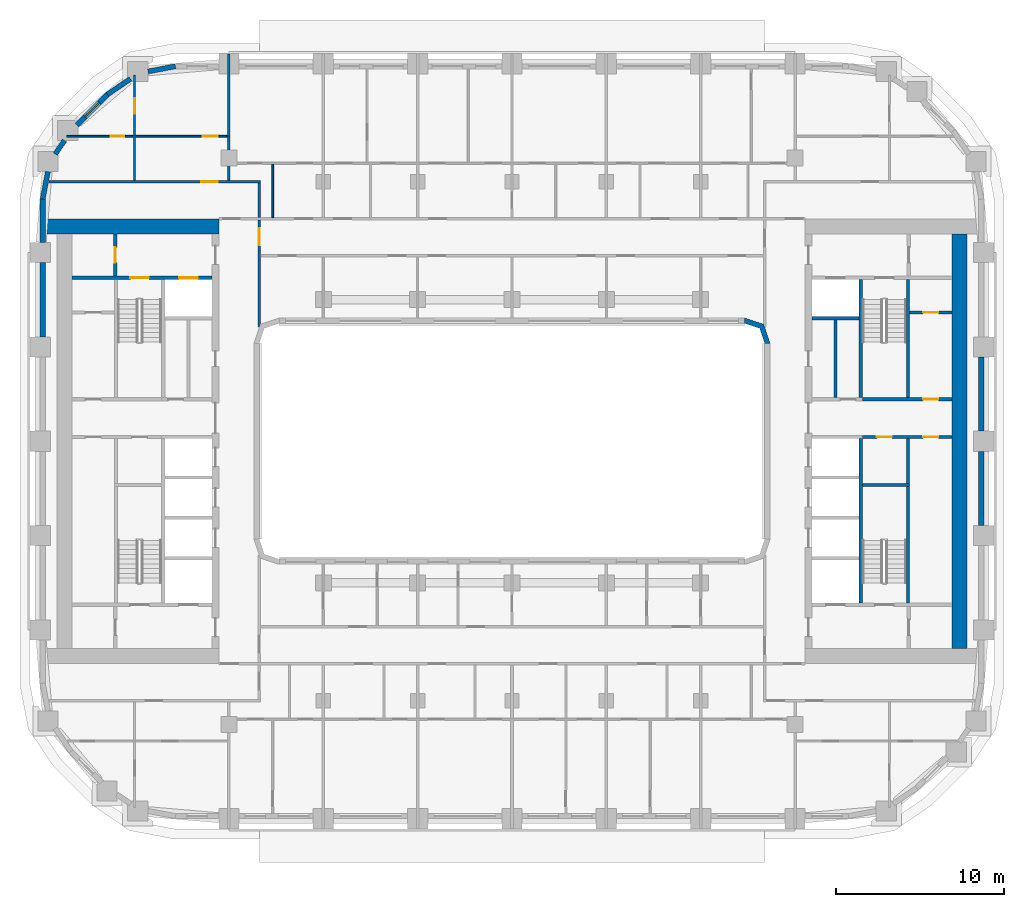
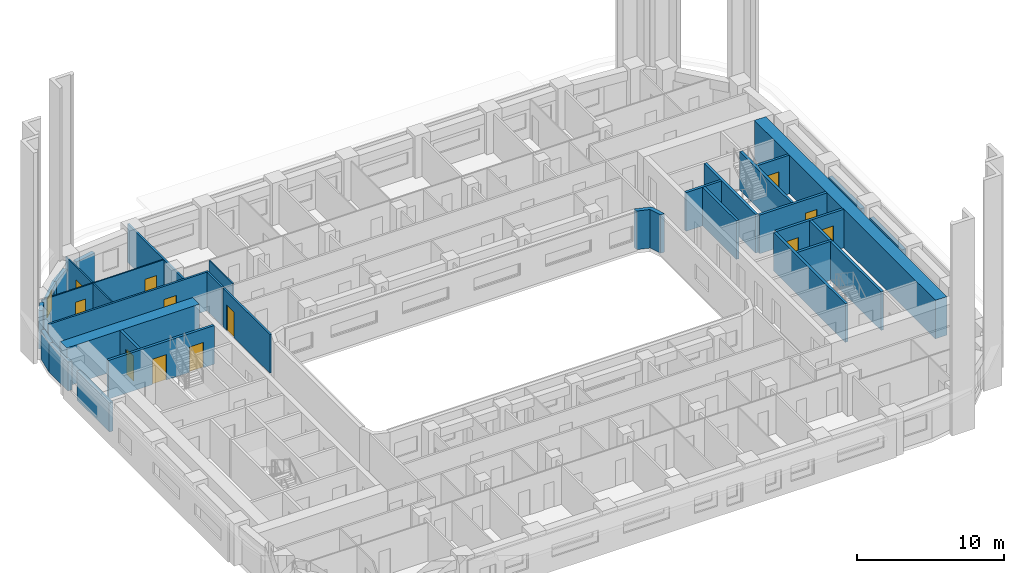
# One storey, part 8 of 23: 33 walls, 12 doors, 1 window, 13 openings.
"""IFC4 building model written with IfcOpenShell, lengths in metres."""

from ifc_helpers import new_model, si_unit, direction, frame, frame_2d, origin, place, context, subcontext, project, spatial, polyline, rectangle, outline, extrude, material, layer, layer_set, type_object, element, fill, save


model = new_model("IFC4")

# Units and contexts
model_context = context("Model", 3, precision=1e-05, world=origin(), true_north=direction((0.0, 1.0)))
body_context = subcontext(model_context, "Body", "Model", "MODEL_VIEW")
ifc_project = project(units=[si_unit("LENGTHUNIT", "METRE"), si_unit("AREAUNIT", "SQUARE_METRE"), si_unit("VOLUMEUNIT", "CUBIC_METRE"), si_unit("PLANEANGLEUNIT", "RADIAN"), si_unit("MASSUNIT", "GRAM", prefix="KILO")], contexts=[model_context])

# Site, building, storey
site_placement = place(None, origin())
site = spatial("IfcSite", under=ifc_project, at=site_placement, CompositionType="ELEMENT")
building_placement = place(site_placement, origin())
building = spatial("IfcBuilding", under=site, at=building_placement, Name="Kiln Ring Residences", CompositionType="ELEMENT")
storey_placement = place(building_placement, frame((0.0, 0.0, 107.800048828125)))
storey = spatial("IfcBuildingStorey", under=building, at=storey_placement, Name="L27", CompositionType="ELEMENT", Elevation=107.800048828125)

# Wall, opening, door
ifc_material_1 = material(Name="Gypsum board on steel studs", Category="steel")
ifc_layer_1 = layer(ifc_material_1, 0.199951171875)
ifc_layer_set_1 = layer_set([ifc_layer_1], Name="CORE-PARTITION-200")
wall_type_1 = type_object("IfcWallType", Name="CORE-PARTITION-200", PredefinedType="PARTITIONING", material=ifc_layer_set_1)
wall_1_placement = place(storey_placement, frame((-23.550048828125, 9.800048828125, 0.0), z_axis=(0.0, 0.0, 1.0), x_axis=(0.0, 1.0, 0.0)))
wall_1 = element("IfcWall", 1, at=wall_1_placement, inside=storey, type_object=wall_type_1, Name="Core partition west L27 4", PredefinedType="PARTITIONING", context=body_context, shape_type="SweptSolid", body=[
    extrude(rectangle(XDim=2.5, YDim=0.199951171875, at=frame_2d((1.25, 0.0))), origin(), (0.0, 0.0, 1.0), 3.199951171875),
])
opening_1_placement = place(wall_1_placement, frame((0.800048828125, 0.0, 0.0)))
opening_1 = element("IfcOpeningElement", 2, at=opening_1_placement, cuts=wall_1, Name="Opening L27-CW10", PredefinedType="OPENING", context=body_context, shape_type="SweptSolid", body=[
    extrude(rectangle(XDim=0.89990234375, YDim=2.10009765625, at=frame_2d((0.449951171875, 1.050048828125))), frame((0.0, 0.10986328125, 0.0), z_axis=(0.0, -1.0, 0.0), x_axis=(1.0, 0.0, 0.0)), (0.0, 0.0, 1.0), 0.219970703125),
])
ifc_material_2 = material(Name="Steel door leaf", Category="steel")
door_type_1 = type_object("IfcDoorType", Name="CORE-DOOR-ROOM", OperationType="SINGLE_SWING_LEFT", PredefinedType="DOOR", material=ifc_material_2)
door_1_placement = place(opening_1_placement, origin())
door_1 = element("IfcDoor", 3, at=door_1_placement, inside=storey, type_object=door_type_1, Name="Fire riser room L27-CW10", OperationType="SINGLE_SWING_RIGHT", OverallHeight=2.10009765625, OverallWidth=0.89990234375, PredefinedType="DOOR", context=body_context, shape_type="SweptSolid", body=[
    extrude(rectangle(XDim=0.89990234375, YDim=2.10009765625, at=frame_2d((0.449951171875, 1.050048828125))), frame((0.0, 0.02490234375, 0.0), z_axis=(0.0, -1.0, 0.0), x_axis=(1.0, 0.0, 0.0)), (0.0, 0.0, 1.0), 0.050048828125),
])
fill(opening_1, door_1)

# Wall
wall_2_placement = place(storey_placement, frame((23.5, -2.5, 0.0), z_axis=(0.0, 0.0, 1.0), x_axis=(0.0, 1.0, 0.0)))
element("IfcWall", 4, at=wall_2_placement, inside=storey, type_object=wall_type_1, Name="Core partition east L27 1", PredefinedType="PARTITIONING", context=body_context, shape_type="SweptSolid", body=[
    extrude(rectangle(XDim=2.64990234375, YDim=0.199951171875, at=frame_2d((1.324951171875, 0.0))), origin(), (0.0, 0.0, 1.0), 3.199951171875),
])

# Wall, openings, doors
wall_3_placement = place(storey_placement, frame((20.800048828125, 0.25, 0.0), z_axis=(0.0, 0.0, 1.0), x_axis=(1.0, 0.0, 0.0)))
wall_3 = element("IfcWall", 5, at=wall_3_placement, inside=storey, type_object=wall_type_1, Name="Core partition east L27 2", PredefinedType="PARTITIONING", context=body_context, shape_type="SweptSolid", body=[
    extrude(rectangle(XDim=5.300048828125, YDim=0.199951171875, at=frame_2d((2.64990234375, 0.0))), origin(), (0.0, 0.0, 1.0), 3.199951171875),
])
opening_2_placement = place(wall_3_placement, frame((0.85009765625, 0.0, 0.0)))
opening_2 = element("IfcOpeningElement", 6, at=opening_2_placement, cuts=wall_3, Name="Opening L27-CE15", PredefinedType="OPENING", context=body_context, shape_type="SweptSolid", body=[
    extrude(rectangle(XDim=0.89990234375, YDim=2.10009765625, at=frame_2d((0.449951171875, 1.050048828125))), frame((0.0, 0.10986328125, 0.0), z_axis=(0.0, -1.0, 0.0), x_axis=(1.0, 0.0, 0.0)), (0.0, 0.0, 1.0), 0.219970703125),
])
opening_3_placement = place(wall_3_placement, frame((3.60009765625, 0.0, 0.0)))
opening_3 = element("IfcOpeningElement", 7, at=opening_3_placement, cuts=wall_3, Name="Opening L27-CE16", PredefinedType="OPENING", context=body_context, shape_type="SweptSolid", body=[
    extrude(rectangle(XDim=0.89990234375, YDim=2.10009765625, at=frame_2d((0.449951171875, 1.050048828125))), frame((0.0, 0.10986328125, 0.0), z_axis=(0.0, -1.0, 0.0), x_axis=(1.0, 0.0, 0.0)), (0.0, 0.0, 1.0), 0.219970703125),
])
door_2_placement = place(opening_2_placement, origin())
door_2 = element("IfcDoor", 8, at=door_2_placement, inside=storey, type_object=door_type_1, Name="Refuse and recycling room L27-CE15", OperationType="SINGLE_SWING_RIGHT", OverallHeight=2.10009765625, OverallWidth=0.89990234375, PredefinedType="DOOR", context=body_context, shape_type="SweptSolid", body=[
    extrude(rectangle(XDim=0.89990234375, YDim=2.10009765625, at=frame_2d((0.449951171875, 1.050048828125))), frame((0.0, 0.02490234375, 0.0), z_axis=(0.0, -1.0, 0.0), x_axis=(1.0, 0.0, 0.0)), (0.0, 0.0, 1.0), 0.050048828125),
])
fill(opening_2, door_2)
door_3_placement = place(opening_3_placement, origin())
door_3 = element("IfcDoor", 9, at=door_3_placement, inside=storey, type_object=door_type_1, Name="Water tank room L27-CE16", OperationType="SINGLE_SWING_LEFT", OverallHeight=2.10009765625, OverallWidth=0.89990234375, PredefinedType="DOOR", context=body_context, shape_type="SweptSolid", body=[
    extrude(rectangle(XDim=0.89990234375, YDim=2.10009765625, at=frame_2d((0.449951171875, 1.050048828125))), frame((0.0, 0.02490234375, 0.0), z_axis=(0.0, -1.0, 0.0), x_axis=(1.0, 0.0, 0.0)), (0.0, 0.0, 1.0), 0.050048828125),
])
fill(opening_3, door_3)

# Wall
wall_4_placement = place(storey_placement, frame((19.199951171875, 2.60009765625, 0.0), z_axis=(0.0, 0.0, 1.0), x_axis=(0.0, 1.0, 0.0)))
element("IfcWall", 10, at=wall_4_placement, inside=storey, type_object=wall_type_1, Name="Core partition east L27 3", PredefinedType="PARTITIONING", context=body_context, shape_type="SweptSolid", body=[
    extrude(rectangle(XDim=4.599853515625, YDim=0.199951171875, at=frame_2d((2.2998046875, 0.0))), origin(), (0.0, 0.0, 1.0), 3.199951171875),
])

# Wall, opening, door
wall_5_placement = place(storey_placement, frame((23.60009765625, 7.639892578125, 0.0), z_axis=(0.0, 0.0, 1.0), x_axis=(1.0, 0.0, 0.0)))
wall_5 = element("IfcWall", 11, at=wall_5_placement, inside=storey, type_object=wall_type_1, Name="Core partition east L27 6", PredefinedType="PARTITIONING", context=body_context, shape_type="SweptSolid", body=[
    extrude(rectangle(XDim=2.5, YDim=0.199951171875, at=frame_2d((1.25, 0.0))), origin(), (0.0, 0.0, 1.0), 3.199951171875),
])
opening_4_placement = place(wall_5_placement, frame((0.800048828125, 0.0, 0.0)))
opening_4 = element("IfcOpeningElement", 12, at=opening_4_placement, cuts=wall_5, Name="Opening L27-CE17", PredefinedType="OPENING", context=body_context, shape_type="SweptSolid", body=[
    extrude(rectangle(XDim=0.89990234375, YDim=2.10009765625, at=frame_2d((0.449951171875, 1.050048828125))), frame((0.0, 0.10986328125, 0.0), z_axis=(0.0, -1.0, 0.0), x_axis=(1.0, 0.0, 0.0)), (0.0, 0.0, 1.0), 0.219970703125),
])
door_4_placement = place(opening_4_placement, origin())
door_4 = element("IfcDoor", 13, at=door_4_placement, inside=storey, type_object=door_type_1, Name="UPS room L27-CE17", OperationType="SINGLE_SWING_LEFT", OverallHeight=2.10009765625, OverallWidth=0.89990234375, PredefinedType="DOOR", context=body_context, shape_type="SweptSolid", body=[
    extrude(rectangle(XDim=0.89990234375, YDim=2.10009765625, at=frame_2d((0.449951171875, 1.050048828125))), frame((0.0, 0.02490234375, 0.0), z_axis=(0.0, -1.0, 0.0), x_axis=(1.0, 0.0, 0.0)), (0.0, 0.0, 1.0), 0.050048828125),
])
fill(opening_4, door_4)

# Wall
ifc_material_3 = material(Name="Gypsum shaft wall system")
ifc_layer_2 = layer(ifc_material_3, 0.199951171875)
ifc_layer_set_2 = layer_set([ifc_layer_2], Name="CORE-SHAFT-WALL-200")
wall_type_2 = type_object("IfcWallType", Name="CORE-SHAFT-WALL-200", PredefinedType="PARTITIONING", material=ifc_layer_set_2)
wall_6_placement = place(storey_placement, frame((17.800048828125, 7.300048828125, 0.0), z_axis=(0.0, 0.0, 1.0), x_axis=(1.0, 0.0, 0.0)))
element("IfcWall", 14, at=wall_6_placement, inside=storey, type_object=wall_type_2, Name="Core partition east L27 12", PredefinedType="PARTITIONING", context=body_context, shape_type="SweptSolid", body=[
    extrude(rectangle(XDim=2.800048828125, YDim=0.199951171875, at=frame_2d((1.39990234375, 0.0))), origin(), (0.0, 0.0, 1.0), 3.199951171875),
])

# Wall, openings, doors
ifc_material_4 = material(Name="Concrete C40/50", Category="concrete")
ifc_layer_3 = layer(ifc_material_4, 0.199951171875)
ifc_layer_set_3 = layer_set([ifc_layer_3], Name="CORE-WALL-RC200")
wall_type_3 = type_object("IfcWallType", Name="CORE-WALL-RC200", PredefinedType="SHEAR", material=ifc_layer_set_3)
wall_7_placement = place(storey_placement, frame((-17.800048828125, 9.699951171875, 0.0), z_axis=(0.0, 0.0, 1.0), x_axis=(-1.0, 0.0, 0.0)))
wall_7 = element("IfcWall", 15, at=wall_7_placement, inside=storey, type_object=wall_type_3, Name="Core wall west L27 9", PredefinedType="SHEAR", context=body_context, shape_type="SweptSolid", body=[
    extrude(rectangle(XDim=8.300048828125, YDim=0.199951171875, at=frame_2d((4.14990234375, 0.0))), origin(), (0.0, 0.0, 1.0), 3.199951171875),
])
opening_5_placement = place(wall_7_placement, frame((0.85009765625, 0.0, 0.0)))
opening_5 = element("IfcOpeningElement", 16, at=opening_5_placement, cuts=wall_7, Name="Opening L27-CW07", PredefinedType="OPENING", context=body_context, shape_type="SweptSolid", body=[
    extrude(rectangle(XDim=1.10009765625, YDim=2.10009765625, at=frame_2d((0.550048828125, 1.050048828125))), frame((0.0, 0.10986328125, 0.0), z_axis=(0.0, -1.0, 0.0), x_axis=(1.0, 0.0, 0.0)), (0.0, 0.0, 1.0), 0.219970703125),
])
opening_6_placement = place(wall_7_placement, frame((3.75, 0.0, 0.0)))
opening_6 = element("IfcOpeningElement", 17, at=opening_6_placement, cuts=wall_7, Name="Opening L27-CW12", PredefinedType="OPENING", context=body_context, shape_type="SweptSolid", body=[
    extrude(rectangle(XDim=1.10009765625, YDim=2.10009765625, at=frame_2d((0.550048828125, 1.050048828125))), frame((0.0, 0.10986328125, 0.0), z_axis=(0.0, -1.0, 0.0), x_axis=(1.0, 0.0, 0.0)), (0.0, 0.0, 1.0), 0.219970703125),
])
ifc_material_5 = material(Name="Steel door leaf", Category="steel")
door_type_2 = type_object("IfcDoorType", Name="CORE-DOOR-LD", OperationType="DOUBLE_DOOR_SLIDING", PredefinedType="DOOR", material=ifc_material_5)
door_5_placement = place(opening_5_placement, origin())
door_5 = element("IfcDoor", 18, at=door_5_placement, inside=storey, type_object=door_type_2, Name="LD W-FF L27-CW07", OperationType="DOUBLE_DOOR_SLIDING", OverallHeight=2.10009765625, OverallWidth=1.10009765625, PredefinedType="DOOR", context=body_context, shape_type="SweptSolid", body=[
    extrude(rectangle(XDim=1.10009765625, YDim=2.10009765625, at=frame_2d((0.550048828125, 1.050048828125))), frame((0.0, 0.02490234375, 0.0), z_axis=(0.0, -1.0, 0.0), x_axis=(1.0, 0.0, 0.0)), (0.0, 0.0, 1.0), 0.050048828125),
])
fill(opening_5, door_5)
ifc_material_6 = material(Name="Steel door leaf", Category="steel")
door_type_3 = type_object("IfcDoorType", Name="CORE-DOOR-STAIR", OperationType="SINGLE_SWING_LEFT", PredefinedType="DOOR", material=ifc_material_6)
door_6_placement = place(opening_6_placement, origin())
door_6 = element("IfcDoor", 19, at=door_6_placement, inside=storey, type_object=door_type_3, Name="Stair W-STN L27-CW12", OperationType="SINGLE_SWING_RIGHT", OverallHeight=2.10009765625, OverallWidth=1.10009765625, PredefinedType="DOOR", context=body_context, shape_type="SweptSolid", body=[
    extrude(rectangle(XDim=1.10009765625, YDim=2.10009765625, at=frame_2d((0.550048828125, 1.050048828125))), frame((0.0, 0.02490234375, 0.0), z_axis=(0.0, -1.0, 0.0), x_axis=(1.0, 0.0, 0.0)), (0.0, 0.0, 1.0), 0.050048828125),
])
fill(opening_6, door_6)

# Walls
wall_8_placement = place(storey_placement, frame((20.699951171875, 2.60009765625, 0.0), z_axis=(0.0, 0.0, 1.0), x_axis=(0.0, 1.0, 0.0)))
element("IfcWall", 20, at=wall_8_placement, inside=storey, type_object=wall_type_3, Name="Core wall east L27 1", PredefinedType="SHEAR", context=body_context, shape_type="SweptSolid", body=[
    extrude(rectangle(XDim=7.0, YDim=0.199951171875, at=frame_2d((3.5, 0.0))), origin(), (0.0, 0.0, 1.0), 3.199951171875),
])
wall_9_placement = place(storey_placement, frame((20.699951171875, -9.60009765625, 0.0), z_axis=(0.0, 0.0, 1.0), x_axis=(0.0, 1.0, 0.0)))
element("IfcWall", 21, at=wall_9_placement, inside=storey, type_object=wall_type_3, Name="Core wall east L27 2", PredefinedType="SHEAR", context=body_context, shape_type="SweptSolid", body=[
    extrude(rectangle(XDim=9.75, YDim=0.199951171875, at=frame_2d((4.875, 0.0))), origin(), (0.0, 0.0, 1.0), 3.199951171875),
])

# Wall, opening, door
wall_10_placement = place(storey_placement, frame((20.800048828125, 2.5, 0.0), z_axis=(0.0, 0.0, 1.0), x_axis=(1.0, 0.0, 0.0)))
wall_10 = element("IfcWall", 22, at=wall_10_placement, inside=storey, type_object=wall_type_3, Name="Core wall east L27 3", PredefinedType="SHEAR", context=body_context, shape_type="SweptSolid", body=[
    extrude(rectangle(XDim=5.300048828125, YDim=0.199951171875, at=frame_2d((2.64990234375, 0.0))), origin(), (0.0, 0.0, 1.0), 3.199951171875),
])
opening_7_placement = place(wall_10_placement, frame((3.60009765625, 0.0, 0.0)))
opening_7 = element("IfcOpeningElement", 23, at=opening_7_placement, cuts=wall_10, Name="Opening L27-CE18", PredefinedType="OPENING", context=body_context, shape_type="SweptSolid", body=[
    extrude(rectangle(XDim=0.89990234375, YDim=2.10009765625, at=frame_2d((0.449951171875, 1.050048828125))), frame((0.0, 0.10986328125, 0.0), z_axis=(0.0, -1.0, 0.0), x_axis=(1.0, 0.0, 0.0)), (0.0, 0.0, 1.0), 0.219970703125),
])
door_7_placement = place(opening_7_placement, origin())
door_7 = element("IfcDoor", 24, at=door_7_placement, inside=storey, type_object=door_type_1, Name="Electrical plant room L27-CE18", OperationType="SINGLE_SWING_RIGHT", OverallHeight=2.10009765625, OverallWidth=0.89990234375, PredefinedType="DOOR", context=body_context, shape_type="SweptSolid", body=[
    extrude(rectangle(XDim=0.89990234375, YDim=2.10009765625, at=frame_2d((0.449951171875, 1.050048828125))), frame((0.0, 0.02490234375, 0.0), z_axis=(0.0, -1.0, 0.0), x_axis=(1.0, 0.0, 0.0)), (0.0, 0.0, 1.0), 0.050048828125),
])
fill(opening_7, door_7)

# Walls
wall_11_placement = place(storey_placement, frame((23.5, 2.60009765625, 0.0), z_axis=(0.0, 0.0, 1.0), x_axis=(0.0, 1.0, 0.0)))
element("IfcWall", 25, at=wall_11_placement, inside=storey, type_object=wall_type_3, Name="Core wall east L27 10", PredefinedType="SHEAR", context=body_context, shape_type="SweptSolid", body=[
    extrude(rectangle(XDim=7.0, YDim=0.199951171875, at=frame_2d((3.5, 0.0))), origin(), (0.0, 0.0, 1.0), 3.199951171875),
])
wall_12_placement = place(storey_placement, frame((23.5, -9.60009765625, 0.0), z_axis=(0.0, 0.0, 1.0), x_axis=(0.0, 1.0, 0.0)))
element("IfcWall", 26, at=wall_12_placement, inside=storey, type_object=wall_type_3, Name="Core wall east L27 11", PredefinedType="SHEAR", context=body_context, shape_type="SweptSolid", body=[
    extrude(rectangle(XDim=6.900146484375, YDim=0.199951171875, at=frame_2d((3.4501953125, 0.0))), origin(), (0.0, 0.0, 1.0), 3.199951171875),
])
wall_13_placement = place(storey_placement, frame((20.800048828125, -2.60009765625, 0.0), z_axis=(0.0, 0.0, 1.0), x_axis=(1.0, 0.0, 0.0)))
element("IfcWall", 27, at=wall_13_placement, inside=storey, type_object=wall_type_3, Name="Core wall east L27 12", PredefinedType="SHEAR", context=body_context, shape_type="SweptSolid", body=[
    extrude(rectangle(XDim=2.800048828125, YDim=0.199951171875, at=frame_2d((1.39990234375, 0.0))), origin(), (0.0, 0.0, 1.0), 3.199951171875),
])
ifc_material_7 = material(Name="Concrete C60/75", Category="concrete")
ifc_layer_4 = layer(ifc_material_7, 0.89990234375)
ifc_layer_set_4 = layer_set([ifc_layer_4], Name="CORE-WALL-RC900")
wall_type_4 = type_object("IfcWallType", Name="CORE-WALL-RC900", PredefinedType="SHEAR", material=ifc_layer_set_4)
wall_14_placement = place(storey_placement, frame((-17.39990234375, 12.75, 0.0), z_axis=(0.0, 0.0, 1.0), x_axis=(-1.0, 0.0, 0.0)))
element("IfcWall", 28, at=wall_14_placement, inside=storey, type_object=wall_type_4, Name="Core wall west L27 4", PredefinedType="SHEAR", context=body_context, shape_type="SweptSolid", body=[
    extrude(rectangle(XDim=10.400146484375, YDim=0.89990234375, at=frame_2d((5.2001953125, 0.0))), origin(), (0.0, 0.0, 1.0), 3.199951171875),
])
wall_15_placement = place(storey_placement, frame((26.550048828125, -12.300048828125, 0.0), z_axis=(0.0, 0.0, 1.0), x_axis=(0.0, 1.0, 0.0)))
element("IfcWall", 29, at=wall_15_placement, inside=storey, type_object=wall_type_4, Name="Core wall east L27 7", PredefinedType="SHEAR", context=body_context, shape_type="SweptSolid", body=[
    extrude(rectangle(XDim=24.60009765625, YDim=0.89990234375, at=frame_2d((12.300048828125, 0.0))), origin(), (0.0, 0.0, 1.0), 3.199951171875),
])
ifc_material_8 = material(Name="Brick masonry, dark clay brick", Category="masonry")
ifc_layer_5 = layer(ifc_material_8, 0.300048828125)
ifc_layer_set_5 = layer_set([ifc_layer_5], Name="EW-300 BRICK WALL")
wall_type_5 = type_object("IfcWallType", Name="EW-300 BRICK WALL", PredefinedType="SOLIDWALL", material=ifc_layer_set_5)
for number, where, z_axis, x_axis, name in (
    (30, (27.85009765625, -5.0, 0.0), (0.0, 0.0, 1.0), (0.0, 1.0, 0.0), "Facade wall L27 19"),
    (31, (27.85009765625, 0.60009765625, 0.0), (0.0, 0.0, 1.0), (0.0, 1.0, 0.0), "Facade wall L27 20"),
):
    element("IfcWall", number, at=place(storey_placement, frame(where, z_axis=z_axis, x_axis=x_axis)), inside=storey, type_object=wall_type_5, Name=name, PredefinedType="SOLIDWALL", context=body_context, shape_type="SweptSolid", body=[
        extrude(rectangle(XDim=4.39990234375, YDim=0.300048828125, at=frame_2d((2.199951171875, 0.0))), origin(), (0.0, 0.0, 1.0), 2.39990234375),
    ])
for number, where, z_axis, x_axis, name in (
    (32, (-19.971923828125, 22.252685546875, 0.0), (0.0, 0.0, 1.0), (-0.98228820662, -0.187376303559, 0.0), "Facade wall L27 36"),
    (33, (-22.64306640625, 21.509765625, 0.0), (0.0, 0.0, 1.0), (-0.827049873329, -0.562128550268, 0.0), "Facade wall L27 37"),
):
    element("IfcWall", number, at=place(storey_placement, frame(where, z_axis=z_axis, x_axis=x_axis)), inside=storey, type_object=wall_type_5, Name=name, PredefinedType="SOLIDWALL", context=body_context, shape_type="SweptSolid", body=[
        extrude(rectangle(XDim=1.656005859375, YDim=0.300048828125, at=frame_2d((0.828125, 0.0))), origin(), (0.0, 0.0, 1.0), 2.39990234375),
    ])

# Wall, opening, window
wall_16_placement = place(storey_placement, frame((-23.990966796875, 20.596923828125, 0.0), z_axis=(0.0, 0.0, 1.0), x_axis=(-0.707106781187, -0.707106781187, 0.0)))
wall_16 = element("IfcWall", 34, at=wall_16_placement, inside=storey, type_object=wall_type_5, Name="Facade wall L27 38", PredefinedType="SOLIDWALL", context=body_context, shape_type="SweptSolid", body=[
    extrude(rectangle(XDim=2.60009765625, YDim=0.300048828125, at=frame_2d((1.300048828125, 0.0))), origin(), (0.0, 0.0, 1.0), 2.39990234375),
])
opening_8_placement = place(wall_16_placement, frame((0.699951171875, 0.0, 0.60009765625)))
opening_8 = element("IfcOpeningElement", 35, at=opening_8_placement, cuts=wall_16, Name="Opening W1", PredefinedType="OPENING", context=body_context, shape_type="SweptSolid", body=[
    extrude(rectangle(XDim=1.199951171875, YDim=1.550048828125, at=frame_2d((0.60009765625, 0.77490234375))), frame((0.0, 0.159912109375, 0.0), z_axis=(0.0, -1.0, 0.0), x_axis=(1.0, 0.0, 0.0)), (0.0, 0.0, 1.0), 0.320068359375),
])
ifc_material_9 = material(Name="Aluminium frame with double glazing", Category="aluminium")
window_type = type_object("IfcWindowType", Name="WINDOW 1200 x 1550", PartitioningType="SINGLE_PANEL", PredefinedType="WINDOW", material=ifc_material_9)
window_placement = place(opening_8_placement, origin())
window = element("IfcWindow", 36, at=window_placement, inside=storey, type_object=window_type, Name="Window L27 26", OverallHeight=1.550048828125, OverallWidth=1.199951171875, PartitioningType="SINGLE_PANEL", PredefinedType="WINDOW", context=body_context, shape_type="SweptSolid", body=[
    extrude(rectangle(XDim=1.199951171875, YDim=1.550048828125, at=frame_2d((0.60009765625, 0.77490234375))), frame((0.0, 0.030029296875, 0.0), z_axis=(0.0, -1.0, 0.0), x_axis=(1.0, 0.0, 0.0)), (0.0, 0.0, 1.0), 0.06005859375),
])
fill(opening_8, window)

# Walls
wall_17_placement = place(storey_placement, frame((-26.560546875, 17.85107421875, 0.0), z_axis=(0.0, 0.0, 1.0), x_axis=(-0.562173331661, -0.827019434577, 0.0)))
element("IfcWall", 37, at=wall_17_placement, inside=storey, type_object=wall_type_5, Name="Facade wall L27 39", PredefinedType="SOLIDWALL", context=body_context, shape_type="SweptSolid", body=[
    extrude(rectangle(XDim=0.97705078125, YDim=0.300048828125, at=frame_2d((0.488525390625, 0.0))), origin(), (0.0, 0.0, 1.0), 3.199951171875),
])
wall_18_placement = place(storey_placement, frame((-27.542236328125, 15.998779296875, 0.0), z_axis=(0.0, 0.0, 1.0), x_axis=(-0.187349172861, -0.982293381546, 0.0)))
element("IfcWall", 38, at=wall_18_placement, inside=storey, type_object=wall_type_5, Name="Facade wall L27 40", PredefinedType="SOLIDWALL", context=body_context, shape_type="SweptSolid", body=[
    extrude(rectangle(XDim=1.65625, YDim=0.300048828125, at=frame_2d((0.828125, 0.0))), origin(), (0.0, 0.0, 1.0), 2.39990234375),
])
wall_19_placement = place(storey_placement, frame((-27.85009765625, 14.39990234375, 0.0), z_axis=(0.0, 0.0, 1.0), x_axis=(0.0, -1.0, 0.0)))
element("IfcWall", 39, at=wall_19_placement, inside=storey, type_object=wall_type_5, Name="Facade wall L27 41", PredefinedType="SOLIDWALL", context=body_context, shape_type="SweptSolid", body=[
    extrude(rectangle(XDim=2.599853515625, YDim=0.300048828125, at=frame_2d((1.2998046875, 0.0))), origin(), (0.0, 0.0, 1.0), 2.39990234375),
])
wall_20_placement = place(storey_placement, frame((-27.85009765625, 10.60009765625, 0.0), z_axis=(0.0, 0.0, 1.0), x_axis=(0.0, -1.0, 0.0)))
element("IfcWall", 40, at=wall_20_placement, inside=storey, type_object=wall_type_5, Name="Facade wall L27 42", PredefinedType="SOLIDWALL", context=body_context, shape_type="SweptSolid", body=[
    extrude(rectangle(XDim=4.400146484375, YDim=0.300048828125, at=frame_2d((2.2001953125, 0.0))), origin(), (0.0, 0.0, 1.0), 2.39990234375),
])
wall_21_placement = place(storey_placement, origin())
element("IfcWall", 41, at=wall_21_placement, inside=storey, type_object=wall_type_5, Name="Corner wall L27 2", PredefinedType="SOLIDWALL", context=body_context, shape_type="SweptSolid", body=[
    extrude(outline(polyline([(14.937255859375, 6.937255859375), (13.8486328125, 7.300048828125), (13.800048828125, 7.300048828125), (13.800048828125, 7.0), (14.699951171875, 6.699951171875), (15.0, 5.800048828125), (15.300048828125, 5.800048828125), (15.300048828125, 5.8486328125), (14.937255859375, 6.937255859375)])), origin(), (0.0, 0.0, 1.0), 3.199951171875),
])

# Wall, openings, doors
ifc_material_10 = material(Name="Gypsum board on steel studs", Category="steel")
ifc_layer_6 = layer(ifc_material_10, 0.10009765625)
ifc_layer_set_6 = layer_set([ifc_layer_6], Name="PARTITION-100")
wall_type_6 = type_object("IfcWallType", Name="PARTITION-100", PredefinedType="PARTITIONING", material=ifc_layer_set_6)
wall_22_placement = place(storey_placement, frame((-26.43994140625, 18.10009765625, 0.0), z_axis=(0.0, 0.0, 1.0), x_axis=(1.0, 0.0, 0.0)))
wall_22 = element("IfcWall", 42, at=wall_22_placement, inside=storey, type_object=wall_type_6, Name="Partition 012", PredefinedType="PARTITIONING", context=body_context, shape_type="SweptSolid", body=[
    extrude(rectangle(XDim=9.56494140625, YDim=0.10009765625, at=frame_2d((4.782470703125, 0.0))), origin(), (0.0, 0.0, 1.0), 3.199951171875),
])
opening_9_placement = place(wall_22_placement, frame((2.6259765625, 0.0, 0.0)))
opening_9 = element("IfcOpeningElement", 43, at=opening_9_placement, cuts=wall_22, Name="Opening L27-D040", PredefinedType="OPENING", context=body_context, shape_type="SweptSolid", body=[
    extrude(rectangle(XDim=0.800048828125, YDim=2.10009765625, at=frame_2d((0.39990234375, 1.050048828125))), frame((0.0, 0.06005859375, 0.0), z_axis=(0.0, -1.0, 0.0), x_axis=(1.0, 0.0, 0.0)), (0.0, 0.0, 1.0), 0.1201171875),
])
opening_10_placement = place(wall_22_placement, frame((8.090087890625, 0.0, 0.0)))
opening_10 = element("IfcOpeningElement", 44, at=opening_10_placement, cuts=wall_22, Name="Opening L27-D041", PredefinedType="OPENING", context=body_context, shape_type="SweptSolid", body=[
    extrude(rectangle(XDim=0.89990234375, YDim=2.10009765625, at=frame_2d((0.449951171875, 1.050048828125))), frame((0.0, 0.06005859375, 0.0), z_axis=(0.0, -1.0, 0.0), x_axis=(1.0, 0.0, 0.0)), (0.0, 0.0, 1.0), 0.1201171875),
])
ifc_material_11 = material(Name="Timber door leaf", Category="wood")
door_type_4 = type_object("IfcDoorType", Name="FLAT-DOOR-800-PL", OperationType="SINGLE_SWING_LEFT", PredefinedType="DOOR", material=ifc_material_11)
door_8_placement = place(opening_9_placement, origin())
door_8 = element("IfcDoor", 45, at=door_8_placement, inside=storey, type_object=door_type_4, Name="Door L27-D040", OperationType="SINGLE_SWING_RIGHT", OverallHeight=2.10009765625, OverallWidth=0.800048828125, PredefinedType="DOOR", context=body_context, shape_type="SweptSolid", body=[
    extrude(rectangle(XDim=0.800048828125, YDim=2.10009765625, at=frame_2d((0.39990234375, 1.050048828125))), frame((0.0, 0.02490234375, 0.0), z_axis=(0.0, -1.0, 0.0), x_axis=(1.0, 0.0, 0.0)), (0.0, 0.0, 1.0), 0.050048828125),
])
fill(opening_9, door_8)
ifc_material_12 = material(Name="Timber door leaf", Category="wood")
door_type_5 = type_object("IfcDoorType", Name="FLAT-DOOR-900-PL", OperationType="SINGLE_SWING_LEFT", PredefinedType="DOOR", material=ifc_material_12)
door_9_placement = place(opening_10_placement, origin())
door_9 = element("IfcDoor", 46, at=door_9_placement, inside=storey, type_object=door_type_5, Name="Door L27-D041", OperationType="SINGLE_SWING_LEFT", OverallHeight=2.10009765625, OverallWidth=0.89990234375, PredefinedType="DOOR", context=body_context, shape_type="SweptSolid", body=[
    extrude(rectangle(XDim=0.89990234375, YDim=2.10009765625, at=frame_2d((0.449951171875, 1.050048828125))), frame((0.0, 0.02490234375, 0.0), z_axis=(0.0, -1.0, 0.0), x_axis=(1.0, 0.0, 0.0)), (0.0, 0.0, 1.0), 0.050048828125),
])
fill(opening_10, door_9)

# Wall
wall_23_placement = place(storey_placement, frame((-22.39990234375, 15.47509765625, 0.0), z_axis=(0.0, 0.0, 1.0), x_axis=(0.0, 1.0, 0.0)))
element("IfcWall", 47, at=wall_23_placement, inside=storey, type_object=wall_type_6, Name="Partition 016", PredefinedType="PARTITIONING", context=body_context, shape_type="SweptSolid", body=[
    extrude(rectangle(XDim=2.574951171875, YDim=0.10009765625, at=frame_2d((1.28759765625, 0.0))), origin(), (0.0, 0.0, 1.0), 3.199951171875),
])

# Wall, opening, door
wall_24_placement = place(storey_placement, frame((-22.39990234375, 18.14990234375, 0.0), z_axis=(0.0, 0.0, 1.0), x_axis=(0.0, 1.0, 0.0)))
wall_24 = element("IfcWall", 48, at=wall_24_placement, inside=storey, type_object=wall_type_6, Name="Partition 017", PredefinedType="PARTITIONING", context=body_context, shape_type="SweptSolid", body=[
    extrude(rectangle(XDim=3.570068359375, YDim=0.10009765625, at=frame_2d((1.78515625, 0.0))), origin(), (0.0, 0.0, 1.0), 3.199951171875),
])
opening_11_placement = place(wall_24_placement, frame((1.298095703125, 0.0, 0.0)))
opening_11 = element("IfcOpeningElement", 49, at=opening_11_placement, cuts=wall_24, Name="Opening L27-D042", PredefinedType="OPENING", context=body_context, shape_type="SweptSolid", body=[
    extrude(rectangle(XDim=0.89990234375, YDim=2.10009765625, at=frame_2d((0.449951171875, 1.050048828125))), frame((0.0, 0.06005859375, 0.0), z_axis=(0.0, -1.0, 0.0), x_axis=(1.0, 0.0, 0.0)), (0.0, 0.0, 1.0), 0.1201171875),
])
door_10_placement = place(opening_11_placement, origin())
door_10 = element("IfcDoor", 50, at=door_10_placement, inside=storey, type_object=door_type_5, Name="Door L27-D042", OperationType="SINGLE_SWING_RIGHT", OverallHeight=2.10009765625, OverallWidth=0.89990234375, PredefinedType="DOOR", context=body_context, shape_type="SweptSolid", body=[
    extrude(rectangle(XDim=0.89990234375, YDim=2.10009765625, at=frame_2d((0.449951171875, 1.050048828125))), frame((0.0, 0.02490234375, 0.0), z_axis=(0.0, -1.0, 0.0), x_axis=(1.0, 0.0, 0.0)), (0.0, 0.0, 1.0), 0.050048828125),
])
fill(opening_11, door_10)

# Wall
wall_25_placement = place(storey_placement, frame((-14.199951171875, 13.27490234375, 0.0), z_axis=(0.0, 0.0, 1.0), x_axis=(0.0, 1.0, 0.0)))
element("IfcWall", 51, at=wall_25_placement, inside=storey, type_object=wall_type_6, Name="Partition 025", PredefinedType="PARTITIONING", context=body_context, shape_type="SweptSolid", body=[
    extrude(rectangle(XDim=3.175048828125, YDim=0.10009765625, at=frame_2d((1.58740234375, 0.0))), origin(), (0.0, 0.0, 1.0), 3.199951171875),
])

# Wall, opening, door
ifc_material_13 = material(Name="Brick masonry partition", Category="masonry")
ifc_layer_7 = layer(ifc_material_13, 0.14990234375)
ifc_layer_set_7 = layer_set([ifc_layer_7], Name="PARTITION-150-ei60")
wall_type_7 = type_object("IfcWallType", Name="PARTITION-150-ei60", PredefinedType="PARTITIONING", material=ifc_layer_set_7)
wall_26_placement = place(storey_placement, frame((-27.48388671875, 15.39990234375, 0.0), z_axis=(0.0, 0.0, 1.0), x_axis=(1.0, 0.0, 0.0)))
wall_26 = element("IfcWall", 52, at=wall_26_placement, inside=storey, type_object=wall_type_7, Name="Partition 009", PredefinedType="PARTITIONING", context=body_context, shape_type="SweptSolid", body=[
    extrude(rectangle(XDim=12.558837890625, YDim=0.14990234375, at=frame_2d((6.279296875, 0.0))), origin(), (0.0, 0.0, 1.0), 3.199951171875),
])
opening_12_placement = place(wall_26_placement, frame((9.03369140625, 0.0, 0.0)))
opening_12 = element("IfcOpeningElement", 53, at=opening_12_placement, cuts=wall_26, Name="Opening L27-D039", PredefinedType="OPENING", context=body_context, shape_type="SweptSolid", body=[
    extrude(rectangle(XDim=1.0, YDim=2.10009765625, at=frame_2d((0.5, 1.050048828125))), frame((0.0, 0.0849609375, 0.0), z_axis=(0.0, -1.0, 0.0), x_axis=(1.0, 0.0, 0.0)), (0.0, 0.0, 1.0), 0.169921875),
])
ifc_material_14 = material(Name="Steel faced fire door leaf", Category="steel")
door_type_6 = type_object("IfcDoorType", Name="FLAT-DOOR-1000-FR", OperationType="SINGLE_SWING_LEFT", PredefinedType="DOOR", material=ifc_material_14)
door_11_placement = place(opening_12_placement, origin())
door_11 = element("IfcDoor", 54, at=door_11_placement, inside=storey, type_object=door_type_6, Name="Door L27-D039", OperationType="SINGLE_SWING_LEFT", OverallHeight=2.10009765625, OverallWidth=1.0, PredefinedType="DOOR", context=body_context, shape_type="SweptSolid", body=[
    extrude(rectangle(XDim=1.0, YDim=2.10009765625, at=frame_2d((0.5, 1.050048828125))), frame((0.0, 0.02490234375, 0.0), z_axis=(0.0, -1.0, 0.0), x_axis=(1.0, 0.0, 0.0)), (0.0, 0.0, 1.0), 0.050048828125),
])
fill(opening_12, door_11)

# Wall
wall_27_placement = place(storey_placement, frame((-16.800048828125, 15.47509765625, 0.0), z_axis=(0.0, 0.0, 1.0), x_axis=(0.0, 1.0, 0.0)))
element("IfcWall", 55, at=wall_27_placement, inside=storey, type_object=wall_type_7, Name="Partition 019", PredefinedType="PARTITIONING", context=body_context, shape_type="SweptSolid", body=[
    extrude(rectangle(XDim=7.5048828125, YDim=0.14990234375, at=frame_2d((3.75244140625, 0.0))), origin(), (0.0, 0.0, 1.0), 3.199951171875),
])

# Wall, opening, door
wall_28_placement = place(storey_placement, frame((-15.0, 6.768798828125, 0.0), z_axis=(0.0, 0.0, 1.0), x_axis=(0.0, 1.0, 0.0)))
wall_28 = element("IfcWall", 56, at=wall_28_placement, inside=storey, type_object=wall_type_7, Name="Partition 022", PredefinedType="PARTITIONING", context=body_context, shape_type="SweptSolid", body=[
    extrude(rectangle(XDim=6.356201171875, YDim=0.14990234375, at=frame_2d((3.17822265625, 0.0))), origin(), (0.0, 0.0, 1.0), 3.199951171875),
])
opening_13_placement = place(wall_28_placement, frame((4.860107421875, 0.0, 0.0)))
opening_13 = element("IfcOpeningElement", 57, at=opening_13_placement, cuts=wall_28, Name="Opening L27-D001", PredefinedType="OPENING", context=body_context, shape_type="SweptSolid", body=[
    extrude(rectangle(XDim=1.0, YDim=2.10009765625, at=frame_2d((0.5, 1.050048828125))), frame((0.0, 0.0849609375, 0.0), z_axis=(0.0, -1.0, 0.0), x_axis=(1.0, 0.0, 0.0)), (0.0, 0.0, 1.0), 0.169921875),
])
door_12_placement = place(opening_13_placement, origin())
door_12 = element("IfcDoor", 58, at=door_12_placement, inside=storey, type_object=door_type_6, Name="Door L27-D001", OperationType="SINGLE_SWING_RIGHT", OverallHeight=2.10009765625, OverallWidth=1.0, PredefinedType="DOOR", context=body_context, shape_type="SweptSolid", body=[
    extrude(rectangle(XDim=1.0, YDim=2.10009765625, at=frame_2d((0.5, 1.050048828125))), frame((0.0, 0.02490234375, 0.0), z_axis=(0.0, -1.0, 0.0), x_axis=(1.0, 0.0, 0.0)), (0.0, 0.0, 1.0), 0.050048828125),
])
fill(opening_13, door_12)

# Wall
wall_29_placement = place(storey_placement, frame((-15.0, 13.27490234375, 0.0), z_axis=(0.0, 0.0, 1.0), x_axis=(0.0, 1.0, 0.0)))
element("IfcWall", 59, at=wall_29_placement, inside=storey, type_object=wall_type_7, Name="Partition 023", PredefinedType="PARTITIONING", context=body_context, shape_type="SweptSolid", body=[
    extrude(rectangle(XDim=2.050048828125, YDim=0.14990234375, at=frame_2d((1.02490234375, 0.0))), origin(), (0.0, 0.0, 1.0), 3.199951171875),
])

save(model, "model.ifc")
